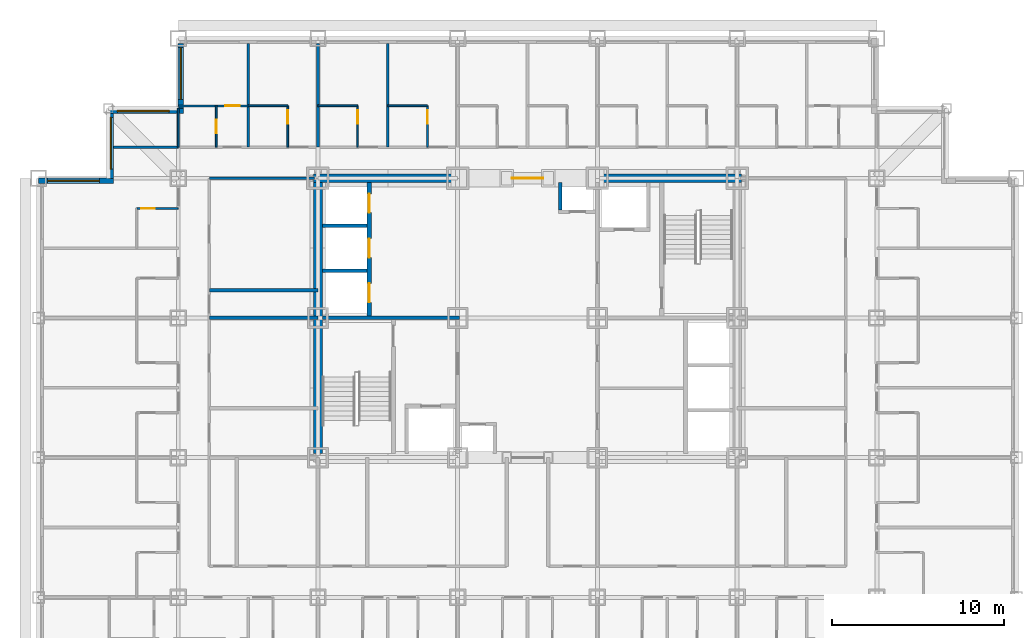
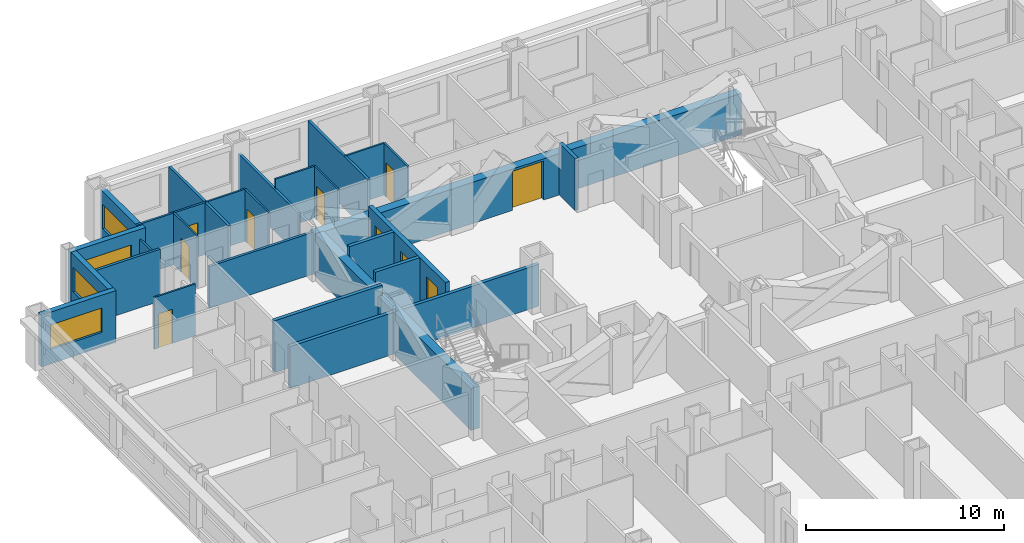
# One storey, part 8 of 12: 28 walls, 10 doors, 4 windows, 14 openings.
"""IFC4 building model written with IfcOpenShell, lengths in metres."""

from ifc_helpers import new_model, si_unit, direction, frame, frame_2d, origin, place, context, subcontext, project, spatial, rectangle, extrude, material, layer, layer_set, type_object, element, fill, save


model = new_model("IFC4")

# Units and contexts
model_context = context("Model", 3, precision=1e-05, world=origin(), true_north=direction((0.0, 1.0)))
body_context = subcontext(model_context, "Body", "Model", "MODEL_VIEW")
ifc_project = project(units=[si_unit("LENGTHUNIT", "METRE"), si_unit("AREAUNIT", "SQUARE_METRE"), si_unit("VOLUMEUNIT", "CUBIC_METRE"), si_unit("PLANEANGLEUNIT", "RADIAN"), si_unit("MASSUNIT", "GRAM", prefix="KILO")], contexts=[model_context])

# Site, building, storey
site_placement = place(None, origin())
site = spatial("IfcSite", under=ifc_project, at=site_placement, CompositionType="ELEMENT")
building_placement = place(site_placement, origin())
building = spatial("IfcBuilding", under=site, at=building_placement, Name="Kopane Lantern Tower", CompositionType="ELEMENT")
storey_placement = place(building_placement, frame((0.0, 0.0, 46.60009765625)))
storey = spatial("IfcBuildingStorey", under=building, at=storey_placement, Name="L10", CompositionType="ELEMENT", Elevation=46.60009765625)

# Wall, opening, door
ifc_material_1 = material(Name="Gypsum board on steel studs", Category="steel")
ifc_layer_1 = layer(ifc_material_1, 0.1201171875)
ifc_layer_set_1 = layer_set([ifc_layer_1], Name="APARTMENT INTERNAL WALL 120")
wall_type_1 = type_object("IfcWallType", Name="APARTMENT INTERNAL WALL 120", PredefinedType="PARTITIONING", material=ifc_layer_set_1)
wall_1_placement = place(storey_placement, frame((8.10009765625, 44.699951171875, 0.0), z_axis=(0.0, 0.0, 1.0), x_axis=(1.0, 0.0, 0.0)))
wall_1 = element("IfcWall", 1, at=wall_1_placement, inside=storey, type_object=wall_type_1, Name="Apartment Internal Wall 120 L10", PredefinedType="PARTITIONING", context=body_context, shape_type="SweptSolid", body=[
    extrude(rectangle(XDim=4.0498046875, YDim=0.1201171875, at=frame_2d((2.02490234375, 0.0))), origin(), (0.0, 0.0, 1.0), 3.18994140625),
])
opening_1_placement = place(wall_1_placement, frame((2.72509765625, 0.0, 0.0)))
opening_1 = element("IfcOpeningElement", 2, at=opening_1_placement, cuts=wall_1, Name="Opening L10-088", PredefinedType="OPENING", context=body_context, shape_type="SweptSolid", body=[
    extrude(rectangle(XDim=0.85009765625, YDim=2.10009765625, at=frame_2d((0.425048828125, 1.050048828125))), frame((0.0, 0.070068359375, 0.0), z_axis=(0.0, -1.0, 0.0), x_axis=(1.0, 0.0, 0.0)), (0.0, 0.0, 1.0), 0.14013671875),
])
ifc_material_2 = material(Name="Timber door set", Category="wood")
door_type_1 = type_object("IfcDoorType", Name="DOOR D4 850x2100", OperationType="SINGLE_SWING_LEFT", PredefinedType="DOOR", material=ifc_material_2)
door_1_placement = place(opening_1_placement, origin())
door_1 = element("IfcDoor", 3, at=door_1_placement, inside=storey, type_object=door_type_1, Name="Door L10-088", OperationType="SINGLE_SWING_LEFT", OverallHeight=2.10009765625, OverallWidth=0.85009765625, PredefinedType="DOOR", context=body_context, shape_type="SweptSolid", body=[
    extrude(rectangle(XDim=0.85009765625, YDim=2.10009765625, at=frame_2d((0.425048828125, 1.050048828125))), frame((0.0, 0.02490234375, 0.0), z_axis=(0.0, -1.0, 0.0), x_axis=(1.0, 0.0, 0.0)), (0.0, 0.0, 1.0), 0.050048828125),
])
fill(opening_1, door_1)

# Wall
ifc_material_3 = material(Name="Moisture-resistant board on steel studs", Category="steel")
ifc_layer_2 = layer(ifc_material_3, 0.10009765625)
ifc_layer_set_2 = layer_set([ifc_layer_2], Name="BATHROOM WALL 100")
wall_type_2 = type_object("IfcWallType", Name="BATHROOM WALL 100", PredefinedType="PARTITIONING", material=ifc_layer_set_2)
wall_2_placement = place(storey_placement, frame((12.14990234375, 44.699951171875, 0.0), z_axis=(0.0, 0.0, 1.0), x_axis=(1.0, 0.0, 0.0)))
element("IfcWall", 4, at=wall_2_placement, inside=storey, type_object=wall_type_2, Name="Bathroom Wall 100 L10", PredefinedType="PARTITIONING", context=body_context, shape_type="SweptSolid", body=[
    extrude(rectangle(XDim=2.300048828125, YDim=0.10009765625, at=frame_2d((1.14990234375, 0.0))), origin(), (0.0, 0.0, 1.0), 3.18994140625),
])

# Wall, opening, door
wall_3_placement = place(storey_placement, frame((14.449951171875, 42.300048828125, 0.0), z_axis=(0.0, 0.0, 1.0), x_axis=(0.0, 1.0, 0.0)))
wall_3 = element("IfcWall", 5, at=wall_3_placement, inside=storey, type_object=wall_type_2, Name="Bathroom Wall 100 L10", PredefinedType="PARTITIONING", context=body_context, shape_type="SweptSolid", body=[
    extrude(rectangle(XDim=2.39990234375, YDim=0.10009765625, at=frame_2d((1.199951171875, 0.0))), origin(), (0.0, 0.0, 1.0), 3.18994140625),
])
opening_2_placement = place(wall_3_placement, frame((1.35009765625, 0.0, 0.0)))
opening_2 = element("IfcOpeningElement", 6, at=opening_2_placement, cuts=wall_3, Name="Opening L10-033", PredefinedType="OPENING", context=body_context, shape_type="SweptSolid", body=[
    extrude(rectangle(XDim=0.800048828125, YDim=2.10009765625, at=frame_2d((0.39990234375, 1.050048828125))), frame((0.0, 0.06005859375, 0.0), z_axis=(0.0, -1.0, 0.0), x_axis=(1.0, 0.0, 0.0)), (0.0, 0.0, 1.0), 0.1201171875),
])
ifc_material_4 = material(Name="Timber door set", Category="wood")
door_type_2 = type_object("IfcDoorType", Name="DOOR D2 800x2100", OperationType="SINGLE_SWING_LEFT", PredefinedType="DOOR", material=ifc_material_4)
door_2_placement = place(opening_2_placement, origin())
door_2 = element("IfcDoor", 7, at=door_2_placement, inside=storey, type_object=door_type_2, Name="Door L10-033", OperationType="SINGLE_SWING_RIGHT", OverallHeight=2.10009765625, OverallWidth=0.800048828125, PredefinedType="DOOR", context=body_context, shape_type="SweptSolid", body=[
    extrude(rectangle(XDim=0.800048828125, YDim=2.10009765625, at=frame_2d((0.39990234375, 1.050048828125))), frame((0.0, 0.02490234375, 0.0), z_axis=(0.0, -1.0, 0.0), x_axis=(1.0, 0.0, 0.0)), (0.0, 0.0, 1.0), 0.050048828125),
])
fill(opening_2, door_2)

# Wall
wall_4_placement = place(storey_placement, frame((16.199951171875, 44.699951171875, 0.0), z_axis=(0.0, 0.0, 1.0), x_axis=(1.0, 0.0, 0.0)))
element("IfcWall", 8, at=wall_4_placement, inside=storey, type_object=wall_type_2, Name="Bathroom Wall 100 L10", PredefinedType="PARTITIONING", context=body_context, shape_type="SweptSolid", body=[
    extrude(rectangle(XDim=2.300048828125, YDim=0.10009765625, at=frame_2d((1.14990234375, 0.0))), origin(), (0.0, 0.0, 1.0), 3.18994140625),
])

# Wall, opening, door
wall_5_placement = place(storey_placement, frame((18.5, 42.300048828125, 0.0), z_axis=(0.0, 0.0, 1.0), x_axis=(0.0, 1.0, 0.0)))
wall_5 = element("IfcWall", 9, at=wall_5_placement, inside=storey, type_object=wall_type_2, Name="Bathroom Wall 100 L10", PredefinedType="PARTITIONING", context=body_context, shape_type="SweptSolid", body=[
    extrude(rectangle(XDim=2.39990234375, YDim=0.10009765625, at=frame_2d((1.199951171875, 0.0))), origin(), (0.0, 0.0, 1.0), 3.18994140625),
])
opening_3_placement = place(wall_5_placement, frame((1.35009765625, 0.0, 0.0)))
opening_3 = element("IfcOpeningElement", 10, at=opening_3_placement, cuts=wall_5, Name="Opening L10-035", PredefinedType="OPENING", context=body_context, shape_type="SweptSolid", body=[
    extrude(rectangle(XDim=0.800048828125, YDim=2.10009765625, at=frame_2d((0.39990234375, 1.050048828125))), frame((0.0, 0.06005859375, 0.0), z_axis=(0.0, -1.0, 0.0), x_axis=(1.0, 0.0, 0.0)), (0.0, 0.0, 1.0), 0.1201171875),
])
door_3_placement = place(opening_3_placement, origin())
door_3 = element("IfcDoor", 11, at=door_3_placement, inside=storey, type_object=door_type_2, Name="Door L10-035", OperationType="SINGLE_SWING_RIGHT", OverallHeight=2.10009765625, OverallWidth=0.800048828125, PredefinedType="DOOR", context=body_context, shape_type="SweptSolid", body=[
    extrude(rectangle(XDim=0.800048828125, YDim=2.10009765625, at=frame_2d((0.39990234375, 1.050048828125))), frame((0.0, 0.02490234375, 0.0), z_axis=(0.0, -1.0, 0.0), x_axis=(1.0, 0.0, 0.0)), (0.0, 0.0, 1.0), 0.050048828125),
])
fill(opening_3, door_3)

# Wall
wall_6_placement = place(storey_placement, frame((20.25, 44.699951171875, 0.0), z_axis=(0.0, 0.0, 1.0), x_axis=(1.0, 0.0, 0.0)))
element("IfcWall", 12, at=wall_6_placement, inside=storey, type_object=wall_type_2, Name="Bathroom Wall 100 L10", PredefinedType="PARTITIONING", context=body_context, shape_type="SweptSolid", body=[
    extrude(rectangle(XDim=2.300048828125, YDim=0.10009765625, at=frame_2d((1.14990234375, 0.0))), origin(), (0.0, 0.0, 1.0), 3.18994140625),
])

# Wall, opening, door
wall_7_placement = place(storey_placement, frame((22.550048828125, 42.300048828125, 0.0), z_axis=(0.0, 0.0, 1.0), x_axis=(0.0, 1.0, 0.0)))
wall_7 = element("IfcWall", 13, at=wall_7_placement, inside=storey, type_object=wall_type_2, Name="Bathroom Wall 100 L10", PredefinedType="PARTITIONING", context=body_context, shape_type="SweptSolid", body=[
    extrude(rectangle(XDim=2.39990234375, YDim=0.10009765625, at=frame_2d((1.199951171875, 0.0))), origin(), (0.0, 0.0, 1.0), 3.18994140625),
])
opening_4_placement = place(wall_7_placement, frame((1.35009765625, 0.0, 0.0)))
opening_4 = element("IfcOpeningElement", 14, at=opening_4_placement, cuts=wall_7, Name="Opening L10-037", PredefinedType="OPENING", context=body_context, shape_type="SweptSolid", body=[
    extrude(rectangle(XDim=0.800048828125, YDim=2.10009765625, at=frame_2d((0.39990234375, 1.050048828125))), frame((0.0, 0.06005859375, 0.0), z_axis=(0.0, -1.0, 0.0), x_axis=(1.0, 0.0, 0.0)), (0.0, 0.0, 1.0), 0.1201171875),
])
door_4_placement = place(opening_4_placement, origin())
door_4 = element("IfcDoor", 15, at=door_4_placement, inside=storey, type_object=door_type_2, Name="Door L10-037", OperationType="SINGLE_SWING_RIGHT", OverallHeight=2.10009765625, OverallWidth=0.800048828125, PredefinedType="DOOR", context=body_context, shape_type="SweptSolid", body=[
    extrude(rectangle(XDim=0.800048828125, YDim=2.10009765625, at=frame_2d((0.39990234375, 1.050048828125))), frame((0.0, 0.02490234375, 0.0), z_axis=(0.0, -1.0, 0.0), x_axis=(1.0, 0.0, 0.0)), (0.0, 0.0, 1.0), 0.050048828125),
])
fill(opening_4, door_4)

wall_8_placement = place(storey_placement, frame((8.10009765625, 38.75, 0.0), z_axis=(0.0, 0.0, 1.0), x_axis=(-1.0, 0.0, 0.0)))
wall_8 = element("IfcWall", 16, at=wall_8_placement, inside=storey, type_object=wall_type_2, Name="Bathroom Wall 100 L10", PredefinedType="PARTITIONING", context=body_context, shape_type="SweptSolid", body=[
    extrude(rectangle(XDim=2.400146484375, YDim=0.10009765625, at=frame_2d((1.2001953125, 0.0))), origin(), (0.0, 0.0, 1.0), 3.18994140625),
])
opening_5_placement = place(wall_8_placement, frame((1.35009765625, 0.0, 0.0)))
opening_5 = element("IfcOpeningElement", 17, at=opening_5_placement, cuts=wall_8, Name="Opening L10-059", PredefinedType="OPENING", context=body_context, shape_type="SweptSolid", body=[
    extrude(rectangle(XDim=0.800048828125, YDim=2.10009765625, at=frame_2d((0.39990234375, 1.050048828125))), frame((0.0, 0.06005859375, 0.0), z_axis=(0.0, -1.0, 0.0), x_axis=(1.0, 0.0, 0.0)), (0.0, 0.0, 1.0), 0.1201171875),
])
door_5_placement = place(opening_5_placement, origin())
door_5 = element("IfcDoor", 18, at=door_5_placement, inside=storey, type_object=door_type_2, Name="Door L10-059", OperationType="SINGLE_SWING_RIGHT", OverallHeight=2.10009765625, OverallWidth=0.800048828125, PredefinedType="DOOR", context=body_context, shape_type="SweptSolid", body=[
    extrude(rectangle(XDim=0.800048828125, YDim=2.10009765625, at=frame_2d((0.39990234375, 1.050048828125))), frame((0.0, 0.02490234375, 0.0), z_axis=(0.0, -1.0, 0.0), x_axis=(1.0, 0.0, 0.0)), (0.0, 0.0, 1.0), 0.050048828125),
])
fill(opening_5, door_5)

wall_9_placement = place(storey_placement, frame((10.300048828125, 42.300048828125, 0.0), z_axis=(0.0, 0.0, 1.0), x_axis=(0.0, 1.0, 0.0)))
wall_9 = element("IfcWall", 19, at=wall_9_placement, inside=storey, type_object=wall_type_2, Name="Bathroom Wall 100 L10", PredefinedType="PARTITIONING", context=body_context, shape_type="SweptSolid", body=[
    extrude(rectangle(XDim=2.39990234375, YDim=0.10009765625, at=frame_2d((1.199951171875, 0.0))), origin(), (0.0, 0.0, 1.0), 3.18994140625),
])
opening_6_placement = place(wall_9_placement, frame((0.800048828125, 0.0, 0.0)))
opening_6 = element("IfcOpeningElement", 20, at=opening_6_placement, cuts=wall_9, Name="Opening L10-086", PredefinedType="OPENING", context=body_context, shape_type="SweptSolid", body=[
    extrude(rectangle(XDim=0.800048828125, YDim=2.10009765625, at=frame_2d((0.39990234375, 1.050048828125))), frame((0.0, 0.06005859375, 0.0), z_axis=(0.0, -1.0, 0.0), x_axis=(1.0, 0.0, 0.0)), (0.0, 0.0, 1.0), 0.1201171875),
])
door_6_placement = place(opening_6_placement, origin())
door_6 = element("IfcDoor", 21, at=door_6_placement, inside=storey, type_object=door_type_2, Name="Door L10-086", OperationType="SINGLE_SWING_LEFT", OverallHeight=2.10009765625, OverallWidth=0.800048828125, PredefinedType="DOOR", context=body_context, shape_type="SweptSolid", body=[
    extrude(rectangle(XDim=0.800048828125, YDim=2.10009765625, at=frame_2d((0.39990234375, 1.050048828125))), frame((0.0, 0.02490234375, 0.0), z_axis=(0.0, -1.0, 0.0), x_axis=(1.0, 0.0, 0.0)), (0.0, 0.0, 1.0), 0.050048828125),
])
fill(opening_6, door_6)

# Wall
wall_10_placement = place(storey_placement, frame((8.10009765625, 42.300048828125, 0.0), z_axis=(0.0, 0.0, 1.0), x_axis=(0.0, 1.0, 0.0)))
element("IfcWall", 22, at=wall_10_placement, inside=storey, type_object=wall_type_2, Name="Bathroom Wall 100 L10", PredefinedType="PARTITIONING", context=body_context, shape_type="SweptSolid", body=[
    extrude(rectangle(XDim=2.25, YDim=0.10009765625, at=frame_2d((1.125, 0.0))), origin(), (0.0, 0.0, 1.0), 2.57763671875),
])

# Wall, opening, door
ifc_material_5 = material(Name="Gypsum shaft wall EI 120", Category="gypsum")
ifc_layer_3 = layer(ifc_material_5, 0.5)
ifc_layer_set_3 = layer_set([ifc_layer_3], Name="CORE PERIMETER WALL 500 EI 120")
wall_type_3 = type_object("IfcWallType", Name="CORE PERIMETER WALL 500 EI 120", PredefinedType="SOLIDWALL", material=ifc_layer_set_3)
wall_11_placement = place(storey_placement, frame((15.949951171875, 40.5, 0.0), z_axis=(0.0, 0.0, 1.0), x_axis=(1.0, 0.0, 0.0)))
wall_11 = element("IfcWall", 23, at=wall_11_placement, inside=storey, type_object=wall_type_3, Name="Core shaft wall L10 PN", PredefinedType="SOLIDWALL", context=body_context, shape_type="SweptSolid", body=[
    extrude(rectangle(XDim=24.800048828125, YDim=0.5, at=frame_2d((12.39990234375, 0.0))), origin(), (0.0, 0.0, 1.0), 2.539794921875),
])
opening_7_placement = place(wall_11_placement, frame((11.5, 0.0, 0.0)))
opening_7 = element("IfcOpeningElement", 24, at=opening_7_placement, cuts=wall_11, Name="Opening 10.CE-N", PredefinedType="OPENING", context=body_context, shape_type="SweptSolid", body=[
    extrude(rectangle(XDim=1.800048828125, YDim=2.39990234375, at=frame_2d((0.89990234375, 1.199951171875))), frame((0.0, 0.260009765625, 0.0), z_axis=(0.0, -1.0, 0.0), x_axis=(1.0, 0.0, 0.0)), (0.0, 0.0, 1.0), 0.52001953125),
])
ifc_material_6 = material(Name="Steel door set", Category="steel")
door_type_3 = type_object("IfcDoorType", Name="CORE ENTRY DOOR 1800x2400 FD60S", OperationType="DOUBLE_DOOR_SINGLE_SWING", PredefinedType="DOOR", material=ifc_material_6)
door_7_placement = place(opening_7_placement, origin())
door_7 = element("IfcDoor", 25, at=door_7_placement, inside=storey, type_object=door_type_3, Name="Core entry door L10 north", OperationType="DOUBLE_DOOR_SINGLE_SWING", OverallHeight=2.39990234375, OverallWidth=1.800048828125, PredefinedType="DOOR", context=body_context, shape_type="SweptSolid", body=[
    extrude(rectangle(XDim=1.800048828125, YDim=2.39990234375, at=frame_2d((0.89990234375, 1.199951171875))), frame((0.0, 0.02490234375, 0.0), z_axis=(0.0, -1.0, 0.0), x_axis=(1.0, 0.0, 0.0)), (0.0, 0.0, 1.0), 0.050048828125),
])
fill(opening_7, door_7)

# Wall
wall_12_placement = place(storey_placement, frame((16.199951171875, 24.550048828125, 0.0), z_axis=(0.0, 0.0, 1.0), x_axis=(0.0, 1.0, 0.0)))
element("IfcWall", 26, at=wall_12_placement, inside=storey, type_object=wall_type_3, Name="Core shaft wall L10 PW", PredefinedType="SOLIDWALL", context=body_context, shape_type="SweptSolid", body=[
    extrude(rectangle(XDim=15.699951171875, YDim=0.5, at=frame_2d((7.85009765625, 0.0))), origin(), (0.0, 0.0, 1.0), 2.57763671875),
])

# Wall, openings, doors
ifc_material_7 = material(Name="Gypsum shaft wall EI 120", Category="gypsum")
ifc_layer_4 = layer(ifc_material_7, 0.25)
ifc_layer_set_4 = layer_set([ifc_layer_4], Name="CORE SHAFT WALL 250 EI 120")
wall_type_4 = type_object("IfcWallType", Name="CORE SHAFT WALL 250 EI 120", PredefinedType="SOLIDWALL", material=ifc_layer_set_4)
wall_13_placement = place(storey_placement, frame((19.175048828125, 32.5, 0.0), z_axis=(0.0, 0.0, 1.0), x_axis=(0.0, 1.0, 0.0)))
wall_13 = element("IfcWall", 27, at=wall_13_placement, inside=storey, type_object=wall_type_4, Name="Core shaft wall L10 XLH", PredefinedType="SOLIDWALL", context=body_context, shape_type="SweptSolid", body=[
    extrude(rectangle(XDim=7.75, YDim=0.25, at=frame_2d((3.875, 0.0))), origin(), (0.0, 0.0, 1.0), 3.18994140625),
])
opening_8_placement = place(wall_13_placement, frame((0.800048828125, 0.0, 0.0)))
opening_8 = element("IfcOpeningElement", 28, at=opening_8_placement, cuts=wall_13, Name="Opening 10.LD-LH1", PredefinedType="OPENING", context=body_context, shape_type="SweptSolid", body=[
    extrude(rectangle(XDim=1.10009765625, YDim=2.39990234375, at=frame_2d((0.550048828125, 1.199951171875))), frame((0.0, 0.135009765625, 0.0), z_axis=(0.0, -1.0, 0.0), x_axis=(1.0, 0.0, 0.0)), (0.0, 0.0, 1.0), 0.27001953125),
])
opening_9_placement = place(wall_13_placement, frame((3.39990234375, 0.0, 0.0)))
opening_9 = element("IfcOpeningElement", 29, at=opening_9_placement, cuts=wall_13, Name="Opening 10.LD-LH2", PredefinedType="OPENING", context=body_context, shape_type="SweptSolid", body=[
    extrude(rectangle(XDim=1.10009765625, YDim=2.39990234375, at=frame_2d((0.550048828125, 1.199951171875))), frame((0.0, 0.135009765625, 0.0), z_axis=(0.0, -1.0, 0.0), x_axis=(1.0, 0.0, 0.0)), (0.0, 0.0, 1.0), 0.27001953125),
])
opening_10_placement = place(wall_13_placement, frame((6.0, 0.0, 0.0)))
opening_10 = element("IfcOpeningElement", 30, at=opening_10_placement, cuts=wall_13, Name="Opening 10.LD-LH3", PredefinedType="OPENING", context=body_context, shape_type="SweptSolid", body=[
    extrude(rectangle(XDim=1.10009765625, YDim=2.39990234375, at=frame_2d((0.550048828125, 1.199951171875))), frame((0.0, 0.135009765625, 0.0), z_axis=(0.0, -1.0, 0.0), x_axis=(1.0, 0.0, 0.0)), (0.0, 0.0, 1.0), 0.27001953125),
])
ifc_material_8 = material(Name="Steel door set", Category="steel")
door_type_4 = type_object("IfcDoorType", Name="LIFT LANDING DOOR 1100x2400 FD60", OperationType="DOUBLE_DOOR_SLIDING", PredefinedType="DOOR", material=ifc_material_8)
door_8_placement = place(opening_8_placement, origin())
door_8 = element("IfcDoor", 31, at=door_8_placement, inside=storey, type_object=door_type_4, Name="Landing door LH1 L10", OperationType="DOUBLE_DOOR_SLIDING", OverallHeight=2.39990234375, OverallWidth=1.10009765625, PredefinedType="DOOR", context=body_context, shape_type="SweptSolid", body=[
    extrude(rectangle(XDim=1.10009765625, YDim=2.39990234375, at=frame_2d((0.550048828125, 1.199951171875))), frame((0.0, 0.02490234375, 0.0), z_axis=(0.0, -1.0, 0.0), x_axis=(1.0, 0.0, 0.0)), (0.0, 0.0, 1.0), 0.050048828125),
])
fill(opening_8, door_8)
door_9_placement = place(opening_9_placement, origin())
door_9 = element("IfcDoor", 32, at=door_9_placement, inside=storey, type_object=door_type_4, Name="Landing door LH2 L10", OperationType="DOUBLE_DOOR_SLIDING", OverallHeight=2.39990234375, OverallWidth=1.10009765625, PredefinedType="DOOR", context=body_context, shape_type="SweptSolid", body=[
    extrude(rectangle(XDim=1.10009765625, YDim=2.39990234375, at=frame_2d((0.550048828125, 1.199951171875))), frame((0.0, 0.02490234375, 0.0), z_axis=(0.0, -1.0, 0.0), x_axis=(1.0, 0.0, 0.0)), (0.0, 0.0, 1.0), 0.050048828125),
])
fill(opening_9, door_9)
door_10_placement = place(opening_10_placement, origin())
door_10 = element("IfcDoor", 33, at=door_10_placement, inside=storey, type_object=door_type_4, Name="Landing door LH3 L10", OperationType="DOUBLE_DOOR_SLIDING", OverallHeight=2.39990234375, OverallWidth=1.10009765625, PredefinedType="DOOR", context=body_context, shape_type="SweptSolid", body=[
    extrude(rectangle(XDim=1.10009765625, YDim=2.39990234375, at=frame_2d((0.550048828125, 1.199951171875))), frame((0.0, 0.02490234375, 0.0), z_axis=(0.0, -1.0, 0.0), x_axis=(1.0, 0.0, 0.0)), (0.0, 0.0, 1.0), 0.050048828125),
])
fill(opening_10, door_10)

# Walls
ifc_material_9 = material(Name="Gypsum board on steel studs", Category="steel")
ifc_layer_5 = layer(ifc_material_9, 0.14990234375)
ifc_layer_set_5 = layer_set([ifc_layer_5], Name="CORRIDOR WALL 150 EI 60")
wall_type_5 = type_object("IfcWallType", Name="CORRIDOR WALL 150 EI 60", PredefinedType="PARTITIONING", material=ifc_layer_set_5)
wall_14_placement = place(storey_placement, frame((16.0, 40.5, 0.0), z_axis=(0.0, 0.0, 1.0), x_axis=(-1.0, 0.0, 0.0)))
element("IfcWall", 34, at=wall_14_placement, inside=storey, type_object=wall_type_5, Name="Corridor Wall 150 Ei 60 L10", PredefinedType="PARTITIONING", context=body_context, shape_type="SweptSolid", body=[
    extrude(rectangle(XDim=6.10009765625, YDim=0.14990234375, at=frame_2d((3.050048828125, 0.0))), origin(), (0.0, 0.0, 1.0), 2.57763671875),
])
ifc_material_10 = material(Name="Gypsum board on steel studs", Category="steel")
ifc_layer_6 = layer(ifc_material_10, 0.14990234375)
ifc_layer_set_6 = layer_set([ifc_layer_6], Name="DEMISING WALL 150 EI 60")
wall_type_6 = type_object("IfcWallType", Name="DEMISING WALL 150 EI 60", PredefinedType="PARTITIONING", material=ifc_layer_set_6)
wall_15_placement = place(storey_placement, frame((16.199951171875, 42.300048828125, 0.0), z_axis=(0.0, 0.0, 1.0), x_axis=(0.0, 1.0, 0.0)))
element("IfcWall", 35, at=wall_15_placement, inside=storey, type_object=wall_type_6, Name="Demising Wall 150 Ei 60 L10", PredefinedType="PARTITIONING", context=body_context, shape_type="SweptSolid", body=[
    extrude(rectangle(XDim=6.0, YDim=0.14990234375, at=frame_2d((3.0, 0.0))), origin(), (0.0, 0.0, 1.0), 2.57763671875),
])
wall_16_placement = place(storey_placement, frame((20.25, 42.300048828125, 0.0), z_axis=(0.0, 0.0, 1.0), x_axis=(0.0, 1.0, 0.0)))
element("IfcWall", 36, at=wall_16_placement, inside=storey, type_object=wall_type_6, Name="Demising Wall 150 Ei 60 L10", PredefinedType="PARTITIONING", context=body_context, shape_type="SweptSolid", body=[
    extrude(rectangle(XDim=6.0, YDim=0.14990234375, at=frame_2d((3.0, 0.0))), origin(), (0.0, 0.0, 1.0), 3.18994140625),
])
wall_17_placement = place(storey_placement, frame((4.35009765625, 42.300048828125, 0.0), z_axis=(0.0, 0.0, 1.0), x_axis=(1.0, 0.0, 0.0)))
element("IfcWall", 37, at=wall_17_placement, inside=storey, type_object=wall_type_6, Name="Demising Wall 150 Ei 60 L10", PredefinedType="PARTITIONING", context=body_context, shape_type="SweptSolid", body=[
    extrude(rectangle(XDim=3.75, YDim=0.14990234375, at=frame_2d((1.875, 0.0))), origin(), (0.0, 0.0, 1.0), 3.18994140625),
])
wall_18_placement = place(storey_placement, frame((12.14990234375, 42.300048828125, 0.0), z_axis=(0.0, 0.0, 1.0), x_axis=(0.0, 1.0, 0.0)))
element("IfcWall", 38, at=wall_18_placement, inside=storey, type_object=wall_type_6, Name="Demising Wall 150 Ei 60 L10", PredefinedType="PARTITIONING", context=body_context, shape_type="SweptSolid", body=[
    extrude(rectangle(XDim=6.0, YDim=0.14990234375, at=frame_2d((3.0, 0.0))), origin(), (0.0, 0.0, 1.0), 3.18994140625),
])

# Wall, opening, window
ifc_material_11 = material(Name="Terracotta rainscreen on light steel framing", Category="masonry")
ifc_layer_7 = layer(ifc_material_11, 0.300048828125)
ifc_layer_set_7 = layer_set([ifc_layer_7], Name="EXTERNAL WALL EW1 300 TERRACOTTA")
wall_type_7 = type_object("IfcWallType", Name="EXTERNAL WALL EW1 300 TERRACOTTA", PredefinedType="SOLIDWALL", material=ifc_layer_set_7)
wall_19_placement = place(storey_placement, frame((8.25, 48.300048828125, 0.0), z_axis=(0.0, 0.0, 1.0), x_axis=(0.0, -1.0, 0.0)))
wall_19 = element("IfcWall", 39, at=wall_19_placement, inside=storey, type_object=wall_type_7, Name="External wall W L10", PredefinedType="SOLIDWALL", context=body_context, shape_type="SweptSolid", body=[
    extrude(rectangle(XDim=3.75, YDim=0.300048828125, at=frame_2d((1.875, 0.0))), origin(), (0.0, 0.0, 1.0), 3.18994140625),
])
opening_11_placement = place(wall_19_placement, frame((0.22509765625, 0.0, 0.89990234375)))
opening_11 = element("IfcOpeningElement", 40, at=opening_11_placement, cuts=wall_19, Name="Opening WR300150", PredefinedType="OPENING", context=body_context, shape_type="SweptSolid", body=[
    extrude(rectangle(XDim=3.0, YDim=1.5, at=frame_2d((1.5, 0.75))), frame((0.0, 0.159912109375, 0.0), z_axis=(0.0, -1.0, 0.0), x_axis=(1.0, 0.0, 0.0)), (0.0, 0.0, 1.0), 0.320068359375),
])
ifc_material_12 = material(Name="Aluminium and clear glass", Category="aluminium")
window_type = type_object("IfcWindowType", Name="RIBBON WINDOW WR300150 3000x1500", PartitioningType="SINGLE_PANEL", PredefinedType="WINDOW", material=ifc_material_12)
window_1_placement = place(opening_11_placement, origin())
window_1 = element("IfcWindow", 41, at=window_1_placement, inside=storey, type_object=window_type, Name="Window W L10", OverallHeight=1.5, OverallWidth=3.0, PartitioningType="SINGLE_PANEL", PredefinedType="WINDOW", context=body_context, shape_type="SweptSolid", body=[
    extrude(rectangle(XDim=3.0, YDim=1.5, at=frame_2d((1.5, 0.75))), frame((0.0, 0.030029296875, 0.0), z_axis=(0.0, -1.0, 0.0), x_axis=(1.0, 0.0, 0.0)), (0.0, 0.0, 1.0), 0.06005859375),
])
fill(opening_11, window_1)

wall_20_placement = place(storey_placement, frame((8.39990234375, 44.39990234375, 0.0), z_axis=(0.0, 0.0, 1.0), x_axis=(-1.0, 0.0, 0.0)))
wall_20 = element("IfcWall", 42, at=wall_20_placement, inside=storey, type_object=wall_type_7, Name="External wall N L10", PredefinedType="SOLIDWALL", context=body_context, shape_type="SweptSolid", body=[
    extrude(rectangle(XDim=4.349853515625, YDim=0.300048828125, at=frame_2d((2.1748046875, 0.0))), origin(), (0.0, 0.0, 1.0), 3.18994140625),
])
opening_12_placement = place(wall_20_placement, frame((0.824951171875, 0.0, 0.89990234375)))
opening_12 = element("IfcOpeningElement", 43, at=opening_12_placement, cuts=wall_20, Name="Opening WR300150", PredefinedType="OPENING", context=body_context, shape_type="SweptSolid", body=[
    extrude(rectangle(XDim=3.0, YDim=1.5, at=frame_2d((1.5, 0.75))), frame((0.0, 0.159912109375, 0.0), z_axis=(0.0, -1.0, 0.0), x_axis=(1.0, 0.0, 0.0)), (0.0, 0.0, 1.0), 0.320068359375),
])
window_2_placement = place(opening_12_placement, origin())
window_2 = element("IfcWindow", 44, at=window_2_placement, inside=storey, type_object=window_type, Name="Window N L10", OverallHeight=1.5, OverallWidth=3.0, PartitioningType="SINGLE_PANEL", PredefinedType="WINDOW", context=body_context, shape_type="SweptSolid", body=[
    extrude(rectangle(XDim=3.0, YDim=1.5, at=frame_2d((1.5, 0.75))), frame((0.0, 0.030029296875, 0.0), z_axis=(0.0, -1.0, 0.0), x_axis=(1.0, 0.0, 0.0)), (0.0, 0.0, 1.0), 0.06005859375),
])
fill(opening_12, window_2)

wall_21_placement = place(storey_placement, frame((4.199951171875, 44.25, 0.0), z_axis=(0.0, 0.0, 1.0), x_axis=(0.0, -1.0, 0.0)))
wall_21 = element("IfcWall", 45, at=wall_21_placement, inside=storey, type_object=wall_type_7, Name="External wall W L10", PredefinedType="SOLIDWALL", context=body_context, shape_type="SweptSolid", body=[
    extrude(rectangle(XDim=3.75, YDim=0.300048828125, at=frame_2d((1.875, 0.0))), origin(), (0.0, 0.0, 1.0), 3.18994140625),
])
opening_13_placement = place(wall_21_placement, frame((0.22509765625, 0.0, 0.89990234375)))
opening_13 = element("IfcOpeningElement", 46, at=opening_13_placement, cuts=wall_21, Name="Opening WR300150", PredefinedType="OPENING", context=body_context, shape_type="SweptSolid", body=[
    extrude(rectangle(XDim=3.0, YDim=1.5, at=frame_2d((1.5, 0.75))), frame((0.0, 0.159912109375, 0.0), z_axis=(0.0, -1.0, 0.0), x_axis=(1.0, 0.0, 0.0)), (0.0, 0.0, 1.0), 0.320068359375),
])
window_3_placement = place(opening_13_placement, origin())
window_3 = element("IfcWindow", 47, at=window_3_placement, inside=storey, type_object=window_type, Name="Window W L10", OverallHeight=1.5, OverallWidth=3.0, PartitioningType="SINGLE_PANEL", PredefinedType="WINDOW", context=body_context, shape_type="SweptSolid", body=[
    extrude(rectangle(XDim=3.0, YDim=1.5, at=frame_2d((1.5, 0.75))), frame((0.0, 0.030029296875, 0.0), z_axis=(0.0, -1.0, 0.0), x_axis=(1.0, 0.0, 0.0)), (0.0, 0.0, 1.0), 0.06005859375),
])
fill(opening_13, window_3)

wall_22_placement = place(storey_placement, frame((4.35009765625, 40.35009765625, 0.0), z_axis=(0.0, 0.0, 1.0), x_axis=(-1.0, 0.0, 0.0)))
wall_22 = element("IfcWall", 48, at=wall_22_placement, inside=storey, type_object=wall_type_7, Name="External wall N L10", PredefinedType="SOLIDWALL", context=body_context, shape_type="SweptSolid", body=[
    extrude(rectangle(XDim=4.35009765625, YDim=0.300048828125, at=frame_2d((2.175048828125, 0.0))), origin(), (0.0, 0.0, 1.0), 3.18994140625),
])
opening_14_placement = place(wall_22_placement, frame((0.824951171875, 0.0, 0.89990234375)))
opening_14 = element("IfcOpeningElement", 49, at=opening_14_placement, cuts=wall_22, Name="Opening WR300150", PredefinedType="OPENING", context=body_context, shape_type="SweptSolid", body=[
    extrude(rectangle(XDim=3.0, YDim=1.5, at=frame_2d((1.5, 0.75))), frame((0.0, 0.159912109375, 0.0), z_axis=(0.0, -1.0, 0.0), x_axis=(1.0, 0.0, 0.0)), (0.0, 0.0, 1.0), 0.320068359375),
])
window_4_placement = place(opening_14_placement, origin())
window_4 = element("IfcWindow", 50, at=window_4_placement, inside=storey, type_object=window_type, Name="Window N L10", OverallHeight=1.5, OverallWidth=3.0, PartitioningType="SINGLE_PANEL", PredefinedType="WINDOW", context=body_context, shape_type="SweptSolid", body=[
    extrude(rectangle(XDim=3.0, YDim=1.5, at=frame_2d((1.5, 0.75))), frame((0.0, 0.030029296875, 0.0), z_axis=(0.0, -1.0, 0.0), x_axis=(1.0, 0.0, 0.0)), (0.0, 0.0, 1.0), 0.06005859375),
])
fill(opening_14, window_4)

# Walls
ifc_material_13 = material(Name="Concrete masonry", Category="masonry")
ifc_layer_8 = layer(ifc_material_13, 0.199951171875)
ifc_layer_set_8 = layer_set([ifc_layer_8], Name="PLANT ROOM WALL 200 EI 120")
wall_type_8 = type_object("IfcWallType", Name="PLANT ROOM WALL 200 EI 120", PredefinedType="SOLIDWALL", material=ifc_layer_set_8)
wall_23_placement = place(storey_placement, frame((9.89990234375, 32.39990234375, 0.0), z_axis=(0.0, 0.0, 1.0), x_axis=(1.0, 0.0, 0.0)))
element("IfcWall", 51, at=wall_23_placement, inside=storey, type_object=wall_type_8, Name="Plant Room Wall 200 Ei 120 L10", PredefinedType="SOLIDWALL", context=body_context, shape_type="SweptSolid", body=[
    extrude(rectangle(XDim=6.300048828125, YDim=0.199951171875, at=frame_2d((3.14990234375, 0.0))), origin(), (0.0, 0.0, 1.0), 2.57763671875),
])
wall_24_placement = place(storey_placement, frame((9.89990234375, 34.0, 0.0), z_axis=(0.0, 0.0, 1.0), x_axis=(1.0, 0.0, 0.0)))
element("IfcWall", 52, at=wall_24_placement, inside=storey, type_object=wall_type_8, Name="Plant Room Wall 200 Ei 120 L10", PredefinedType="SOLIDWALL", context=body_context, shape_type="SweptSolid", body=[
    extrude(rectangle(XDim=6.300048828125, YDim=0.199951171875, at=frame_2d((3.14990234375, 0.0))), origin(), (0.0, 0.0, 1.0), 3.18994140625),
])
ifc_material_14 = material(Name="Gypsum shaft wall EI 120", Category="gypsum")
ifc_layer_9 = layer(ifc_material_14, 0.199951171875)
ifc_layer_set_9 = layer_set([ifc_layer_9], Name="SHAFT WALL 200 EI 120")
wall_type_9 = type_object("IfcWallType", Name="SHAFT WALL 200 EI 120", PredefinedType="SOLIDWALL", material=ifc_layer_set_9)
wall_25_placement = place(storey_placement, frame((16.449951171875, 32.39990234375, 0.0), z_axis=(0.0, 0.0, 1.0), x_axis=(1.0, 0.0, 0.0)))
element("IfcWall", 53, at=wall_25_placement, inside=storey, type_object=wall_type_9, Name="Core shaft wall L10 Y324W", PredefinedType="SOLIDWALL", context=body_context, shape_type="SweptSolid", body=[
    extrude(rectangle(XDim=7.949951171875, YDim=0.199951171875, at=frame_2d((3.97509765625, 0.0))), origin(), (0.0, 0.0, 1.0), 2.57763671875),
])
for number, where, z_axis, x_axis, name in (
    (54, (16.449951171875, 35.14990234375, 0.0), (0.0, 0.0, 1.0), (1.0, 0.0, 0.0), "Core shaft wall L10 YLH12"),
    (55, (16.449951171875, 37.75, 0.0), (0.0, 0.0, 1.0), (1.0, 0.0, 0.0), "Core shaft wall L10 YLH23"),
):
    element("IfcWall", number, at=place(storey_placement, frame(where, z_axis=z_axis, x_axis=x_axis)), inside=storey, type_object=wall_type_9, Name=name, PredefinedType="SOLIDWALL", context=body_context, shape_type="SweptSolid", body=[
        extrude(rectangle(XDim=2.60009765625, YDim=0.199951171875, at=frame_2d((1.300048828125, 0.0))), origin(), (0.0, 0.0, 1.0), 3.18994140625),
    ])
wall_26_placement = place(storey_placement, frame((30.25, 38.64990234375, 0.0), z_axis=(0.0, 0.0, 1.0), x_axis=(0.0, 1.0, 0.0)))
element("IfcWall", 56, at=wall_26_placement, inside=storey, type_object=wall_type_9, Name="Core shaft wall L10 XRS2", PredefinedType="SOLIDWALL", context=body_context, shape_type="SweptSolid", body=[
    extrude(rectangle(XDim=1.60009765625, YDim=0.199951171875, at=frame_2d((0.800048828125, 0.0))), origin(), (0.0, 0.0, 1.0), 3.18994140625),
])

save(model, "model.ifc")
